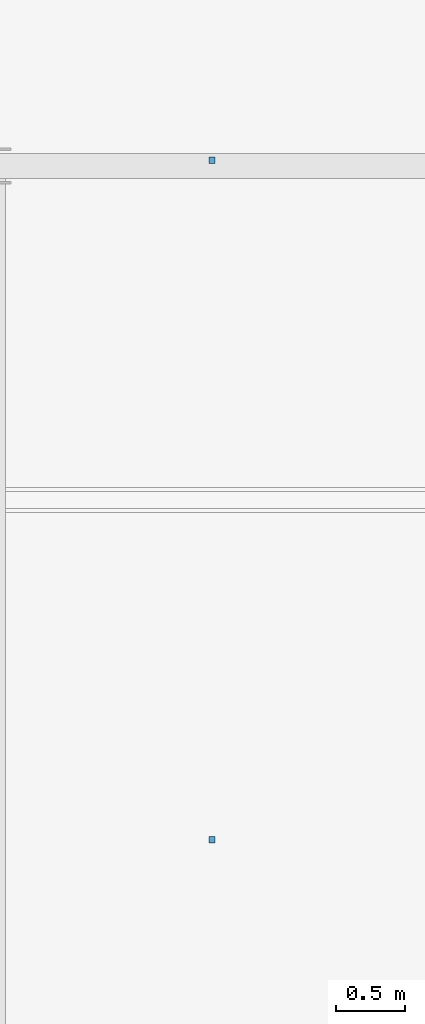
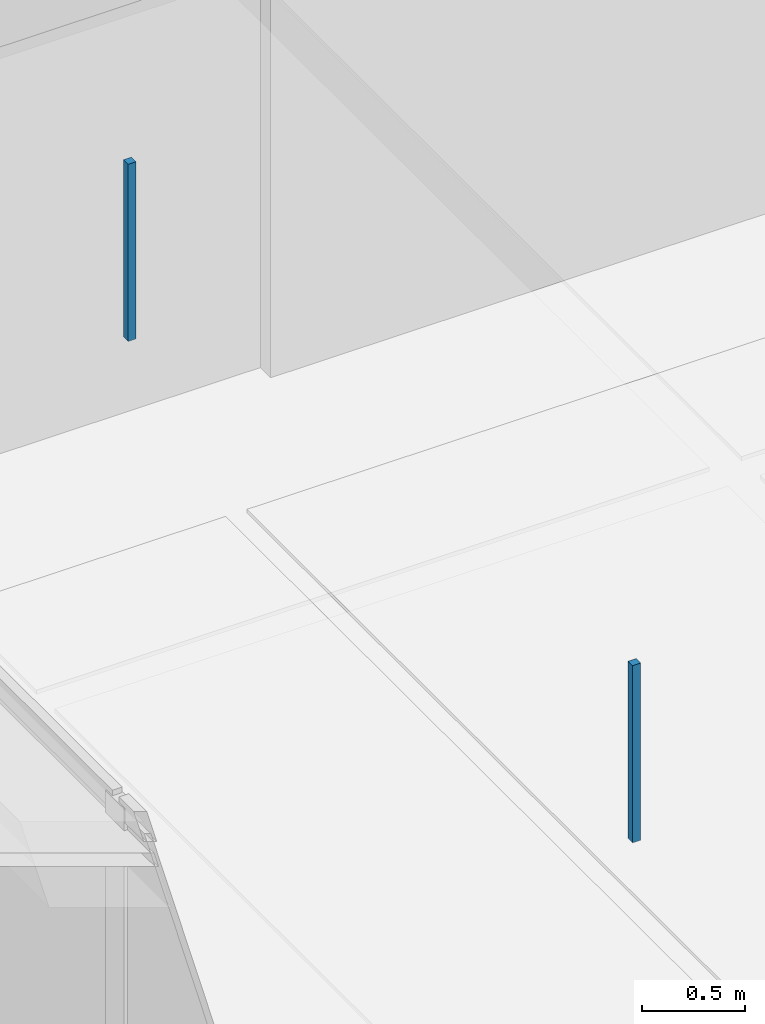
# One storey, part 108 of 140: 2 discrete accessories.
"""IFC4 building model written with IfcOpenShell, lengths in metres."""

from ifc_helpers import new_model, si_unit, direction, frame, origin, origin_2d, place, context, subcontext, project, spatial, rectangle, extrude, material, type_object, element, save


model = new_model("IFC4")

# Units and contexts
model_context = context("Model", 3, precision=1e-05, world=origin(), true_north=direction((0.0, 1.0)))
body_context = subcontext(model_context, "Body", "Model", "MODEL_VIEW")
ifc_project = project(units=[si_unit("LENGTHUNIT", "METRE"), si_unit("AREAUNIT", "SQUARE_METRE"), si_unit("VOLUMEUNIT", "CUBIC_METRE"), si_unit("PLANEANGLEUNIT", "RADIAN"), si_unit("MASSUNIT", "GRAM", prefix="KILO"), si_unit("THERMODYNAMICTEMPERATUREUNIT", "KELVIN"), si_unit("POWERUNIT", "WATT")], contexts=[model_context])

# Site, building, storey
site_placement = place(None, origin())
site = spatial("IfcSite", under=ifc_project, at=site_placement, CompositionType="ELEMENT")
building_placement = place(site_placement, origin())
building = spatial("IfcBuilding", under=site, at=building_placement, Name="Tallowbark Science Centre", CompositionType="ELEMENT")
storey_placement = place(building_placement, frame((0.0, 0.0, 9.89990234375)))
storey = spatial("IfcBuildingStorey", under=building, at=storey_placement, Name="L02", CompositionType="ELEMENT", Elevation=9.89990234375)

# Discrete accessories
ifc_material = material(Name="Galvanised Steel Grade C350L0 (350 MPa)", Category="steel")
discrete_accessory_type = type_object("IfcDiscreteAccessoryType", Name="ACC-CLG-HNG", PredefinedType="BRACKET", material=ifc_material)
for number, where, z_axis, x_axis, name in (
    (1, (101.783203125, 63.625, 3.20947265625), (0.0, 0.0, 1.0), (1.0, 0.0, 0.0), "Ceiling Hanger Bracket L02-852"),
    (2, (101.783203125, 68.541748046875, 3.20947265625), (0.0, 0.0, 1.0), (1.0, 0.0, 0.0), "Ceiling Hanger Bracket L02-853"),
):
    element("IfcDiscreteAccessory", number, at=place(storey_placement, frame(where, z_axis=z_axis, x_axis=x_axis)), inside=storey, type_object=discrete_accessory_type, Name=name, PredefinedType="BRACKET", context=body_context, shape_type="SweptSolid", body=[
        extrude(rectangle(XDim=0.044921875, YDim=0.044921875, at=origin_2d()), origin(), (0.0, 0.0, 1.0), 1.053466796875),
    ])

save(model, "model.ifc")
